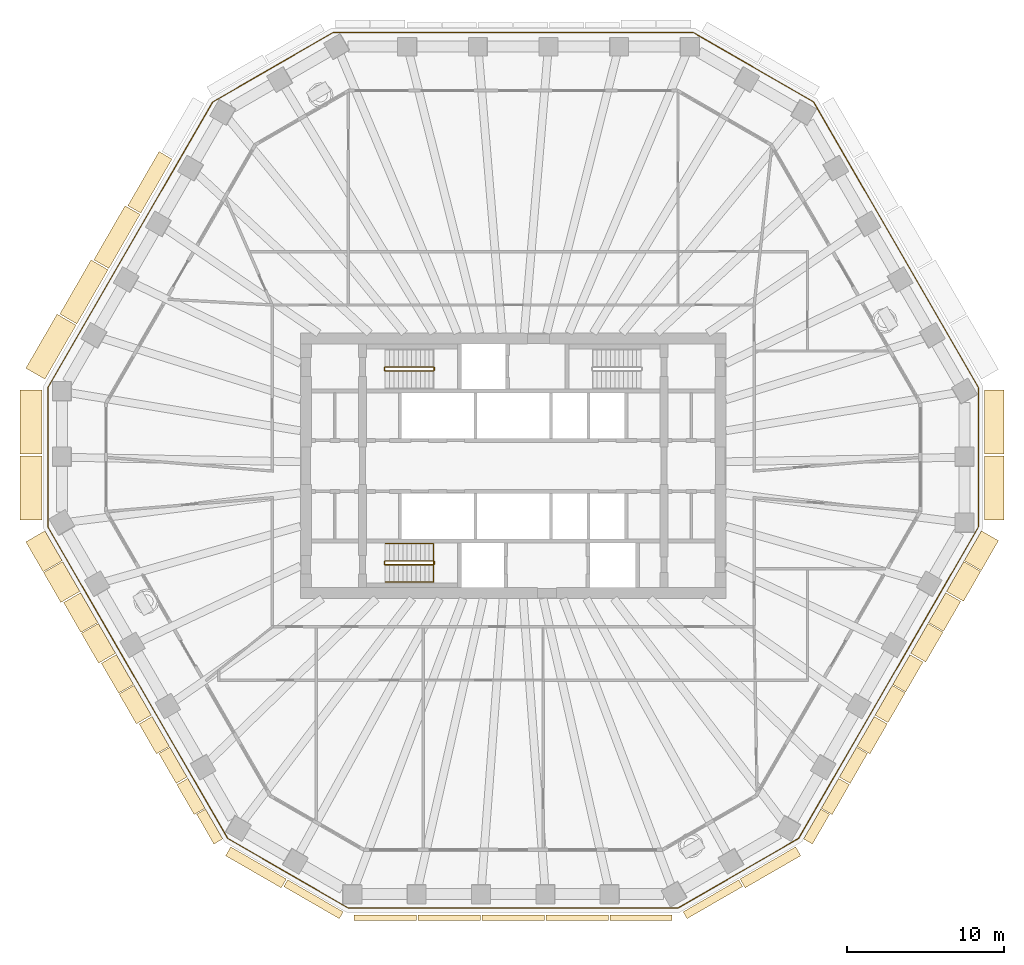
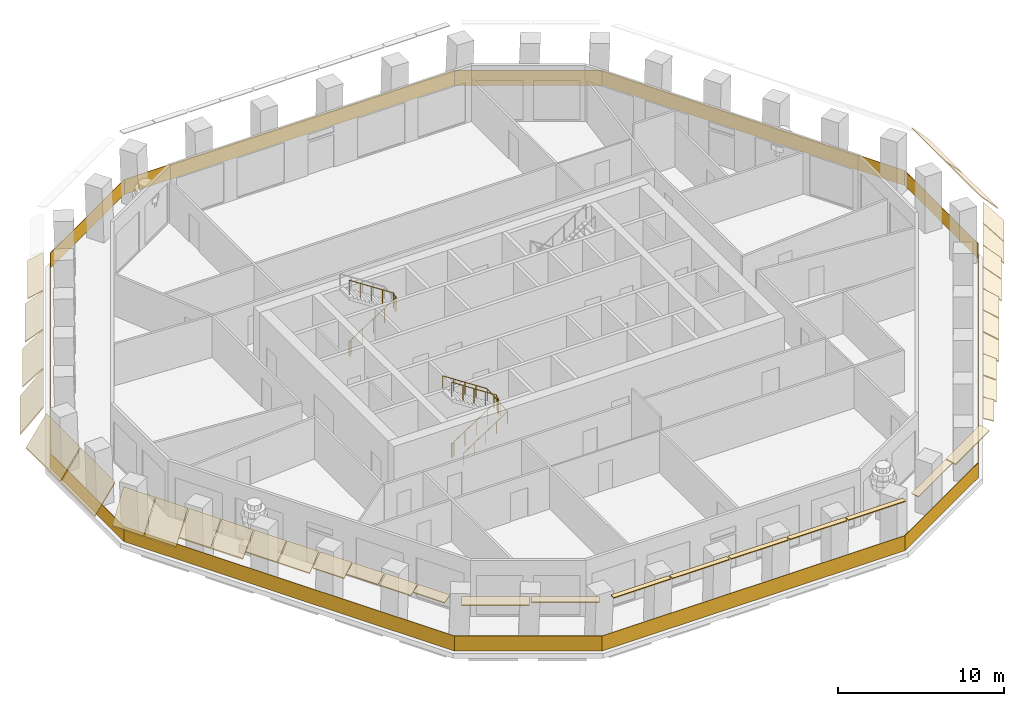
# One storey, part 9 of 12: 37 coverings, 4 railings.
"""IFC4 building model written with IfcOpenShell, lengths in metres."""

from ifc_helpers import new_model, si_unit, direction, frame, origin, origin_2d, place, context, subcontext, project, spatial, polyline, rectangle, circle, outline, extrude, material, layer, layer_set, type_object, element, save


model = new_model("IFC4")

# Units and contexts
model_context = context("Model", 3, precision=1e-05, world=origin(), true_north=direction((0.0, 1.0)))
body_context = subcontext(model_context, "Body", "Model", "MODEL_VIEW")
ifc_project = project(units=[si_unit("LENGTHUNIT", "METRE"), si_unit("AREAUNIT", "SQUARE_METRE"), si_unit("VOLUMEUNIT", "CUBIC_METRE"), si_unit("PLANEANGLEUNIT", "RADIAN"), si_unit("MASSUNIT", "GRAM", prefix="KILO")], contexts=[model_context])

# Site, building, storey
site_placement = place(None, origin())
site = spatial("IfcSite", under=ifc_project, at=site_placement, CompositionType="ELEMENT")
building_placement = place(site_placement, origin())
building = spatial("IfcBuilding", under=site, at=building_placement, Name="Frailejon Research Tower", CompositionType="ELEMENT")
storey_placement = place(building_placement, frame((0.0, 0.0, 162.800048828125)))
storey = spatial("IfcBuildingStorey", under=building, at=storey_placement, Name="L35", CompositionType="ELEMENT", Elevation=162.800048828125)

# Coverings
ifc_material_1 = material(Name="Precast concrete C50/60", Category="concrete")
ifc_layer_1 = layer(ifc_material_1, 0.06005859375)
ifc_layer_set_1 = layer_set([ifc_layer_1], Name="Brim blade depth 1100")
covering_type_1 = type_object("IfcCoveringType", Name="Brim blade depth 1100", PredefinedType="CLADDING", material=ifc_layer_set_1)
covering_1_placement = place(storey_placement, frame((-25.75390625, 12.57568359375, 4.25), z_axis=(0.499992413042, 0.866029784072, 0.0), x_axis=(-0.866029784072, 0.499992413042, 0.0)))
element("IfcCovering", 1, at=covering_1_placement, inside=storey, type_object=covering_type_1, Name="Brim blade L35", PredefinedType="CLADDING", context=body_context, shape_type="SweptSolid", body=[
    extrude(outline(polyline([(0.0, -0.078369140625), (1.10009765625, -1.001220703125), (1.10009765625, -0.923095703125), (0.0, 0.0), (0.0, -0.078369140625)])), origin(), (0.0, 0.0, 1.0), 3.972412109375),
])
for number, where, z_axis, x_axis, name in (
    (2, (-24.177001953125, -13.924072265625, 4.25), (-0.49998618725, 0.866033378433, 0.0), (-0.866033378433, -0.49998618725, 0.0), "Brim blade L35"),
    (3, (-23.04931640625, -15.87744140625, 4.25), (-0.49998618725, 0.866033378433, 0.0), (-0.866033378433, -0.49998618725, 0.0), "Brim blade L35"),
):
    element("IfcCovering", number, at=place(storey_placement, frame(where, z_axis=z_axis, x_axis=x_axis)), inside=storey, type_object=covering_type_1, Name=name, PredefinedType="CLADDING", context=body_context, shape_type="SweptSolid", body=[
        extrude(outline(polyline([(0.0, -0.078369140625), (1.10009765625, -1.001220703125), (1.10009765625, -0.923095703125), (0.0, 0.0), (0.0, -0.078369140625)])), origin(), (0.0, 0.0, 1.0), 2.19580078125),
    ])
for number, where, z_axis, x_axis, name in (
    (4, (26.422607421875, -10.034423828125, 4.25), (-0.499995700913, -0.866027885849, 0.0), (0.866027885849, -0.499995700913, 0.0), "Brim blade L35"),
    (5, (27.550537109375, -8.0810546875, 4.25), (-0.499995700913, -0.866027885849, 0.0), (0.866027885849, -0.499995700913, 0.0), "Brim blade L35"),
):
    element("IfcCovering", number, at=place(storey_placement, frame(where, z_axis=z_axis, x_axis=x_axis)), inside=storey, type_object=covering_type_1, Name=name, PredefinedType="CLADDING", context=body_context, shape_type="SweptSolid", body=[
        extrude(outline(polyline([(0.0, -0.078369140625), (1.10009765625, -1.001220703125), (1.10009765625, -0.923095703125), (0.0, 0.0), (0.0, -0.078369140625)])), origin(), (0.0, 0.0, 1.0), 2.195556640625),
    ])
ifc_material_2 = material(Name="Precast concrete C50/60", Category="concrete")
ifc_layer_2 = layer(ifc_material_2, 0.06005859375)
ifc_layer_set_2 = layer_set([ifc_layer_2], Name="Brim blade depth 1250")
covering_type_2 = type_object("IfcCoveringType", Name="Brim blade depth 1250", PredefinedType="CLADDING", material=ifc_layer_set_2)
covering_2_placement = place(storey_placement, frame((30.011962890625, 0.641357421875, 4.25), z_axis=(0.0, -1.0, 0.0), x_axis=(1.0, 0.0, 0.0)))
element("IfcCovering", 6, at=covering_2_placement, inside=storey, type_object=covering_type_2, Name="Brim blade L35", PredefinedType="CLADDING", context=body_context, shape_type="SweptSolid", body=[
    extrude(outline(polyline([(0.0, -0.0888671875), (1.25, -1.452880859375), (1.25, -1.364013671875), (0.0, 0.0), (0.0, -0.0888671875)])), origin(), (0.0, 0.0, 1.0), 4.087646484375),
])
covering_3_placement = place(storey_placement, frame((30.011962890625, 4.828857421875, 4.25), z_axis=(0.0, -1.0, 0.0), x_axis=(1.0, 0.0, 0.0)))
element("IfcCovering", 7, at=covering_3_placement, inside=storey, type_object=covering_type_2, Name="Brim blade L35", PredefinedType="CLADDING", context=body_context, shape_type="SweptSolid", body=[
    extrude(outline(polyline([(0.0, -0.0888671875), (1.25, -1.452880859375), (1.25, -1.364013671875), (0.0, 0.0), (0.0, -0.0888671875)])), origin(), (0.0, 0.0, 1.0), 4.08740234375),
])
covering_4_placement = place(storey_placement, frame((-27.7900390625, 9.048828125, 4.25), z_axis=(0.499992413042, 0.866029784072, 0.0), x_axis=(-0.866029784072, 0.499992413042, 0.0)))
element("IfcCovering", 8, at=covering_4_placement, inside=storey, type_object=covering_type_2, Name="Brim blade L35", PredefinedType="CLADDING", context=body_context, shape_type="SweptSolid", body=[
    extrude(outline(polyline([(0.0, -0.0888671875), (1.25, -1.452880859375), (1.25, -1.364013671875), (0.0, 0.0), (0.0, -0.0888671875)])), origin(), (0.0, 0.0, 1.0), 3.972412109375),
])
for number, where, z_axis, x_axis, name in (
    (9, (-26.45263671875, -9.982421875, 4.25), (-0.499995700913, 0.866027885849, 0.0), (-0.866027885849, -0.499995700913, 0.0), "Brim blade L35"),
    (10, (-25.324951171875, -11.935791015625, 4.25), (-0.499995700913, 0.866027885849, 0.0), (-0.866027885849, -0.499995700913, 0.0), "Brim blade L35"),
    (11, (28.698486328125, -6.093017578125, 4.25), (-0.500012180236, -0.866018371408, 0.0), (0.866018371408, -0.500012180236, 0.0), "Brim blade L35"),
    (12, (29.826171875, -4.139404296875, 4.25), (-0.500012180236, -0.866018371408, 0.0), (0.866018371408, -0.500012180236, 0.0), "Brim blade L35"),
):
    element("IfcCovering", number, at=place(storey_placement, frame(where, z_axis=z_axis, x_axis=x_axis)), inside=storey, type_object=covering_type_2, Name=name, PredefinedType="CLADDING", context=body_context, shape_type="SweptSolid", body=[
        extrude(outline(polyline([(0.0, -0.0888671875), (1.25, -1.452880859375), (1.25, -1.364013671875), (0.0, 0.0), (0.0, -0.0888671875)])), origin(), (0.0, 0.0, 1.0), 2.195556640625),
    ])
ifc_material_3 = material(Name="Precast concrete C50/60", Category="concrete")
ifc_layer_3 = layer(ifc_material_3, 0.06005859375)
ifc_layer_set_3 = layer_set([ifc_layer_3], Name="Brim blade depth 1400")
covering_type_3 = type_object("IfcCoveringType", Name="Brim blade depth 1400", PredefinedType="CLADDING", material=ifc_layer_set_3)
covering_5_placement = place(storey_placement, frame((-29.826171875, 5.522216796875, 4.25), z_axis=(0.500010829996, 0.866019150993, 0.0), x_axis=(-0.866019150993, 0.500010829996, 0.0)))
element("IfcCovering", 13, at=covering_5_placement, inside=storey, type_object=covering_type_3, Name="Brim blade L35", PredefinedType="CLADDING", context=body_context, shape_type="SweptSolid", body=[
    extrude(outline(polyline([(0.0, -0.1044921875), (1.39990234375, -2.10400390625), (1.39990234375, -1.99951171875), (0.0, 0.0), (0.0, -0.1044921875)])), origin(), (0.0, 0.0, 1.0), 3.972412109375),
])
covering_6_placement = place(storey_placement, frame((-30.011962890625, 0.741455078125, 4.25), z_axis=(0.0, 1.0, 0.0), x_axis=(-1.0, 0.0, 0.0)))
element("IfcCovering", 14, at=covering_6_placement, inside=storey, type_object=covering_type_3, Name="Brim blade L35", PredefinedType="CLADDING", context=body_context, shape_type="SweptSolid", body=[
    extrude(outline(polyline([(0.0, -0.1044921875), (1.39990234375, -2.10400390625), (1.39990234375, -1.99951171875), (0.0, 0.0), (0.0, -0.1044921875)])), origin(), (0.0, 0.0, 1.0), 4.08740234375),
])
covering_7_placement = place(storey_placement, frame((-30.011962890625, -3.4462890625, 4.25), z_axis=(0.0, 1.0, 0.0), x_axis=(-1.0, 0.0, 0.0)))
element("IfcCovering", 15, at=covering_7_placement, inside=storey, type_object=covering_type_3, Name="Brim blade L35", PredefinedType="CLADDING", context=body_context, shape_type="SweptSolid", body=[
    extrude(outline(polyline([(0.0, -0.1044921875), (1.39990234375, -2.10400390625), (1.39990234375, -1.99951171875), (0.0, 0.0), (0.0, -0.1044921875)])), origin(), (0.0, 0.0, 1.0), 4.087646484375),
])
for number, where, z_axis, x_axis, name in (
    (16, (-28.728515625, -6.041015625, 4.25), (-0.500012180236, 0.866018371408, 0.0), (-0.866018371408, -0.500012180236, 0.0), "Brim blade L35"),
    (17, (-27.6005859375, -7.994384765625, 4.25), (-0.500012180236, 0.866018371408, 0.0), (-0.866018371408, -0.500012180236, 0.0), "Brim blade L35"),
):
    element("IfcCovering", number, at=place(storey_placement, frame(where, z_axis=z_axis, x_axis=x_axis)), inside=storey, type_object=covering_type_3, Name=name, PredefinedType="CLADDING", context=body_context, shape_type="SweptSolid", body=[
        extrude(outline(polyline([(0.0, -0.1044921875), (1.39990234375, -2.10400390625), (1.39990234375, -1.99951171875), (0.0, 0.0), (0.0, -0.1044921875)])), origin(), (0.0, 0.0, 1.0), 2.195556640625),
    ])
ifc_material_4 = material(Name="Precast concrete C50/60", Category="concrete")
ifc_layer_4 = layer(ifc_material_4, 0.06005859375)
ifc_layer_set_4 = layer_set([ifc_layer_4], Name="Brim blade depth 350")
covering_type_4 = type_object("IfcCoveringType", Name="Brim blade depth 350", PredefinedType="CLADDING", material=ifc_layer_set_4)
for number, where, z_axis, x_axis, name in (
    (18, (-6.158447265625, -28.59130859375, 4.25), (-1.0, 0.0, 0.0), (0.0, -1.0, 0.0), "Brim blade L35"),
    (19, (-2.086181640625, -28.59130859375, 4.25), (-1.0, 0.0, 0.0), (0.0, -1.0, 0.0), "Brim blade L35"),
):
    element("IfcCovering", number, at=place(storey_placement, frame(where, z_axis=z_axis, x_axis=x_axis)), inside=storey, type_object=covering_type_4, Name=name, PredefinedType="CLADDING", context=body_context, shape_type="SweptSolid", body=[
        extrude(outline(polyline([(0.0, -0.06005859375), (0.35009765625, -0.06005859375), (0.35009765625, 0.0), (0.0, 0.0), (0.0, -0.06005859375)])), origin(), (0.0, 0.0, 1.0), 3.972412109375),
    ])
covering_8_placement = place(storey_placement, frame((1.986083984375, -28.59130859375, 4.25), z_axis=(-1.0, 0.0, 0.0), x_axis=(0.0, -1.0, 0.0)))
element("IfcCovering", 20, at=covering_8_placement, inside=storey, type_object=covering_type_4, Name="Brim blade L35", PredefinedType="CLADDING", context=body_context, shape_type="SweptSolid", body=[
    extrude(outline(polyline([(0.0, -0.06005859375), (0.35009765625, -0.06005859375), (0.35009765625, 0.0), (0.0, 0.0), (0.0, -0.06005859375)])), origin(), (0.0, 0.0, 1.0), 3.97216796875),
])
for number, where, z_axis, x_axis, name in (
    (21, (6.058349609375, -28.59130859375, 4.25), (-1.0, 0.0, 0.0), (0.0, -1.0, 0.0), "Brim blade L35"),
    (22, (10.130615234375, -28.59130859375, 4.25), (-1.0, 0.0, 0.0), (0.0, -1.0, 0.0), "Brim blade L35"),
):
    element("IfcCovering", number, at=place(storey_placement, frame(where, z_axis=z_axis, x_axis=x_axis)), inside=storey, type_object=covering_type_4, Name=name, PredefinedType="CLADDING", context=body_context, shape_type="SweptSolid", body=[
        extrude(outline(polyline([(0.0, -0.06005859375), (0.35009765625, -0.06005859375), (0.35009765625, 0.0), (0.0, 0.0), (0.0, -0.06005859375)])), origin(), (0.0, 0.0, 1.0), 3.972412109375),
    ])
ifc_material_5 = material(Name="Precast concrete C50/60", Category="concrete")
ifc_layer_5 = layer(ifc_material_5, 0.06005859375)
ifc_layer_set_5 = layer_set([ifc_layer_5], Name="Brim blade depth 500")
covering_type_5 = type_object("IfcCoveringType", Name="Brim blade depth 500", PredefinedType="CLADDING", material=ifc_layer_set_5)
for number, where, z_axis, x_axis, name in (
    (23, (-10.823974609375, -28.405517578125, 4.25), (-0.866021344981, 0.500007029989, 0.0), (-0.500007029989, -0.866021344981, 0.0), "Brim blade L35"),
    (24, (14.364013671875, -26.36181640625, 4.25), (-0.866021344981, -0.500007029989, 0.0), (0.500007029989, -0.866021344981, 0.0), "Brim blade L35"),
):
    element("IfcCovering", number, at=place(storey_placement, frame(where, z_axis=z_axis, x_axis=x_axis)), inside=storey, type_object=covering_type_5, Name=name, PredefinedType="CLADDING", context=body_context, shape_type="SweptSolid", body=[
        extrude(outline(polyline([(0.0, -0.060546875), (0.5, -0.130859375), (0.5, -0.0703125), (0.0, 0.0), (0.0, -0.060546875)])), origin(), (0.0, 0.0, 1.0), 4.08740234375),
    ])
ifc_material_6 = material(Name="Precast concrete C50/60", Category="concrete")
ifc_layer_6 = layer(ifc_material_6, 0.06005859375)
ifc_layer_set_6 = layer_set([ifc_layer_6], Name="Brim blade depth 650")
covering_type_6 = type_object("IfcCoveringType", Name="Brim blade depth 650", PredefinedType="CLADDING", material=ifc_layer_set_6)
covering_9_placement = place(storey_placement, frame((-18.498046875, -23.760498046875, 4.25), z_axis=(-0.499995700913, 0.866027885849, 0.0), x_axis=(-0.866027885849, -0.499995700913, 0.0)))
element("IfcCovering", 25, at=covering_9_placement, inside=storey, type_object=covering_type_6, Name="Brim blade L35", PredefinedType="CLADDING", context=body_context, shape_type="SweptSolid", body=[
    extrude(outline(polyline([(0.0, -0.0625), (0.64990234375, -0.248779296875), (0.64990234375, -0.186279296875), (0.0, 0.0), (0.0, -0.0625)])), origin(), (0.0, 0.0, 1.0), 2.195556640625),
])
for number, where, z_axis, x_axis, name in (
    (26, (-14.450439453125, -26.311767578125, 4.25), (-0.866027315287, 0.499996689166, 0.0), (-0.499996689166, -0.866027315287, 0.0), "Brim blade L35"),
    (27, (17.990478515625, -24.26806640625, 4.25), (-0.866027315287, -0.499996689166, 0.0), (0.499996689166, -0.866027315287, 0.0), "Brim blade L35"),
):
    element("IfcCovering", number, at=place(storey_placement, frame(where, z_axis=z_axis, x_axis=x_axis)), inside=storey, type_object=covering_type_6, Name=name, PredefinedType="CLADDING", context=body_context, shape_type="SweptSolid", body=[
        extrude(outline(polyline([(0.0, -0.0625), (0.64990234375, -0.248779296875), (0.64990234375, -0.186279296875), (0.0, 0.0), (0.0, -0.0625)])), origin(), (0.0, 0.0, 1.0), 4.087646484375),
    ])
covering_10_placement = place(storey_placement, frame((19.595703125, -21.85888671875, 4.25), z_axis=(-0.499995700913, -0.866027885849, 0.0), x_axis=(0.866027885849, -0.499995700913, 0.0)))
element("IfcCovering", 28, at=covering_10_placement, inside=storey, type_object=covering_type_6, Name="Brim blade L35", PredefinedType="CLADDING", context=body_context, shape_type="SweptSolid", body=[
    extrude(outline(polyline([(0.0, -0.0625), (0.64990234375, -0.248779296875), (0.64990234375, -0.186279296875), (0.0, 0.0), (0.0, -0.0625)])), origin(), (0.0, 0.0, 1.0), 2.195556640625),
])
ifc_material_7 = material(Name="Precast concrete C50/60", Category="concrete")
ifc_layer_7 = layer(ifc_material_7, 0.06005859375)
ifc_layer_set_7 = layer_set([ifc_layer_7], Name="Brim blade depth 800")
covering_type_7 = type_object("IfcCoveringType", Name="Brim blade depth 800", PredefinedType="CLADDING", material=ifc_layer_set_7)
for number, where, z_axis, x_axis, name in (
    (29, (-20.773681640625, -19.819091796875, 4.25), (-0.500012180236, 0.866018371408, 0.0), (-0.866018371408, -0.500012180236, 0.0), "Brim blade L35"),
    (30, (-19.625732421875, -21.80712890625, 4.25), (-0.499995700913, 0.866027885849, 0.0), (-0.866027885849, -0.499995700913, 0.0), "Brim blade L35"),
    (31, (20.7236328125, -19.905517578125, 4.25), (-0.499995700913, -0.866027885849, 0.0), (0.866027885849, -0.499995700913, 0.0), "Brim blade L35"),
    (32, (21.87158203125, -17.91748046875, 4.25), (-0.500012180236, -0.866018371408, 0.0), (0.866018371408, -0.500012180236, 0.0), "Brim blade L35"),
):
    element("IfcCovering", number, at=place(storey_placement, frame(where, z_axis=z_axis, x_axis=x_axis)), inside=storey, type_object=covering_type_7, Name=name, PredefinedType="CLADDING", context=body_context, shape_type="SweptSolid", body=[
        extrude(outline(polyline([(0.0, -0.065673828125), (0.800048828125, -0.421875), (0.800048828125, -0.356201171875), (0.0, 0.0), (0.0, -0.065673828125)])), origin(), (0.0, 0.0, 1.0), 2.195556640625),
    ])
ifc_material_8 = material(Name="Precast concrete C50/60", Category="concrete")
ifc_layer_8 = layer(ifc_material_8, 0.06005859375)
ifc_layer_set_8 = layer_set([ifc_layer_8], Name="Brim blade depth 950")
covering_type_8 = type_object("IfcCoveringType", Name="Brim blade depth 950", PredefinedType="CLADDING", material=ifc_layer_set_8)
covering_11_placement = place(storey_placement, frame((-23.7177734375, 16.102294921875, 4.25), z_axis=(0.500010829996, 0.866019150993, 0.0), x_axis=(-0.866019150993, 0.500010829996, 0.0)))
element("IfcCovering", 33, at=covering_11_placement, inside=storey, type_object=covering_type_8, Name="Brim blade L35", PredefinedType="CLADDING", context=body_context, shape_type="SweptSolid", body=[
    extrude(outline(polyline([(0.0, -0.07080078125), (0.949951171875, -0.664306640625), (0.949951171875, -0.593505859375), (0.0, 0.0), (0.0, -0.07080078125)])), origin(), (0.0, 0.0, 1.0), 3.972412109375),
])
for number, where, z_axis, x_axis, name in (
    (34, (-21.901611328125, -17.865478515625, 4.25), (-0.500012180236, 0.866018371408, 0.0), (-0.866018371408, -0.500012180236, 0.0), "Brim blade L35"),
    (35, (22.999267578125, -15.964111328125, 4.25), (-0.500012180236, -0.866018371408, 0.0), (0.866018371408, -0.500012180236, 0.0), "Brim blade L35"),
):
    element("IfcCovering", number, at=place(storey_placement, frame(where, z_axis=z_axis, x_axis=x_axis)), inside=storey, type_object=covering_type_8, Name=name, PredefinedType="CLADDING", context=body_context, shape_type="SweptSolid", body=[
        extrude(outline(polyline([(0.0, -0.07080078125), (0.949951171875, -0.664306640625), (0.949951171875, -0.593505859375), (0.0, 0.0), (0.0, -0.07080078125)])), origin(), (0.0, 0.0, 1.0), 2.195556640625),
    ])
for number, where, z_axis, x_axis, name in (
    (36, (24.147216796875, -13.97607421875, 4.25), (-0.49998618725, -0.866033378433, 0.0), (0.866033378433, -0.49998618725, 0.0), "Brim blade L35"),
    (37, (25.27490234375, -12.0224609375, 4.25), (-0.49998618725, -0.866033378433, 0.0), (0.866033378433, -0.49998618725, 0.0), "Brim blade L35"),
):
    element("IfcCovering", number, at=place(storey_placement, frame(where, z_axis=z_axis, x_axis=x_axis)), inside=storey, type_object=covering_type_8, Name=name, PredefinedType="CLADDING", context=body_context, shape_type="SweptSolid", body=[
        extrude(outline(polyline([(0.0, -0.07080078125), (0.949951171875, -0.664306640625), (0.949951171875, -0.593505859375), (0.0, 0.0), (0.0, -0.07080078125)])), origin(), (0.0, 0.0, 1.0), 2.19580078125),
    ])

# Railings
ifc_material_9 = material(Name="Laminated glass balustrade", Category="glass")
railing_type_1 = type_object("IfcRailingType", Name="Glass guard 1100", PredefinedType="GUARDRAIL", material=ifc_material_9)
railing_1_placement = place(storey_placement, frame((29.640869140625, -3.8779296875, 0.0)))
element("IfcRailing", 38, at=railing_1_placement, inside=storey, type_object=railing_type_1, Name="Loggia guard L35", PredefinedType="GUARDRAIL", context=body_context, shape_type="SweptSolid", body=[
    extrude(rectangle(XDim=8.862060546875, YDim=0.030029296875, at=origin_2d()), frame((0.0, 4.43115234375, 0.0), z_axis=(0.0, 0.0, 1.0), x_axis=(0.0, 1.0, 0.0)), (0.0, 0.0, 1.0), 1.10009765625),
    extrude(rectangle(XDim=21.008056640625, YDim=0.030029296875, at=origin_2d()), frame((-5.251953125, 17.958740234375, 0.0), z_axis=(0.0, 0.0, 1.0), x_axis=(-0.50000747778, 0.866021086443, 0.0)), (0.0, 0.0, 1.0), 1.10009765625),
    extrude(rectangle(XDim=8.862060546875, YDim=0.030029296875, at=origin_2d()), frame((-14.341552734375, 29.27099609375, 0.0), z_axis=(0.0, 0.0, 1.0), x_axis=(-0.86602043012, 0.50000861454, 0.0)), (0.0, 0.0, 1.0), 1.10009765625),
    extrude(rectangle(XDim=22.923828125, YDim=0.030029296875, at=origin_2d()), frame((-29.640869140625, 31.486572265625, 0.0), z_axis=(0.0, 0.0, 1.0), x_axis=(-1.0, 0.0, 0.0)), (0.0, 0.0, 1.0), 1.10009765625),
    extrude(rectangle(XDim=8.862060546875, YDim=0.030029296875, at=origin_2d()), frame((-44.940185546875, 29.27099609375, 0.0), z_axis=(0.0, 0.0, 1.0), x_axis=(-0.86602043012, -0.50000861454, 0.0)), (0.0, 0.0, 1.0), 1.10009765625),
    extrude(rectangle(XDim=21.008056640625, YDim=0.030029296875, at=origin_2d()), frame((-54.02978515625, 17.958740234375, 0.0), z_axis=(0.0, 0.0, 1.0), x_axis=(-0.50000747778, -0.866021086443, 0.0)), (0.0, 0.0, 1.0), 1.10009765625),
    extrude(rectangle(XDim=8.862060546875, YDim=0.030029296875, at=origin_2d()), frame((-59.28173828125, 4.43115234375, 0.0), z_axis=(0.0, 0.0, 1.0), x_axis=(0.0, -1.0, 0.0)), (0.0, 0.0, 1.0), 1.10009765625),
    extrude(rectangle(XDim=22.924072265625, YDim=0.030029296875, at=origin_2d()), frame((-53.55078125, -9.92626953125, 0.0), z_axis=(0.0, 0.0, 1.0), x_axis=(0.500004857653, -0.866022599199, 0.0)), (0.0, 0.0, 1.0), 1.10009765625),
    extrude(rectangle(XDim=8.862060546875, YDim=0.030029296875, at=origin_2d()), frame((-43.982177734375, -22.068359375, 0.0), z_axis=(0.0, 0.0, 1.0), x_axis=(0.866032359105, -0.499987952838, 0.0)), (0.0, 0.0, 1.0), 1.10009765625),
    extrude(rectangle(XDim=21.0078125, YDim=0.030029296875, at=origin_2d()), frame((-29.640869140625, -24.28369140625, 0.0), z_axis=(0.0, 0.0, 1.0), x_axis=(1.0, 0.0, 0.0)), (0.0, 0.0, 1.0), 1.10009765625),
    extrude(rectangle(XDim=8.862060546875, YDim=0.030029296875, at=origin_2d()), frame((-15.299560546875, -22.068359375, 0.0), z_axis=(0.0, 0.0, 1.0), x_axis=(0.866032359105, 0.499987952838, 0.0)), (0.0, 0.0, 1.0), 1.10009765625),
    extrude(rectangle(XDim=22.853759765625, YDim=0.030029296875, at=origin_2d()), frame((-5.74853515625, -9.956787109375, 0.0), z_axis=(0.0, 0.0, 1.0), x_axis=(0.500002951441, 0.866023699763, 0.0)), (0.0, 0.0, 1.0), 1.10009765625),
])
ifc_material_10 = material(Name="Stainless steel", Category="steel")
railing_type_2 = type_object("IfcRailingType", Name="Stair guard 1100", PredefinedType="GUARDRAIL", material=ifc_material_10)
railing_2_placement = place(storey_placement, frame((-8.199951171875, 6.25, 0.0)))
element("IfcRailing", 39, at=railing_2_placement, inside=storey, type_object=railing_type_2, Name="L35 ST1 stair guard 1", PredefinedType="GUARDRAIL", context=body_context, shape_type="SweptSolid", body=[
    extrude(circle(Radius=0.02392578125, at=origin_2d()), frame((0.0, 0.0, 1.076171875), z_axis=(0.0, -1.0, 0.0), x_axis=(1.0, 0.0, 0.0)), (0.0, 0.0, 1.0), 0.14990234375),
    extrude(circle(Radius=0.02392578125, at=origin_2d()), frame((0.0, -0.14990234375, 1.076171875), z_axis=(0.254653276557, -0.254653276557, 0.932900539971), x_axis=(0.707106781187, 0.707106781187, 0.0)), (0.0, 0.0, 1.0), 0.196533203125),
    extrude(circle(Radius=0.02392578125, at=origin_2d()), frame((0.050048828125, -0.199951171875, 1.25927734375), z_axis=(0.836613101238, 0.0, 0.547794230379), x_axis=(0.0, 1.0, 0.0)), (0.0, 0.0, 1.0), 3.681396484375),
    extrude(circle(Radius=0.02392578125, at=origin_2d()), frame((3.1298828125, -0.199951171875, 3.27587890625), z_axis=(0.707106781187, 0.707106781187, 0.0), x_axis=(-0.707106781187, 0.707106781187, 0.0)), (0.0, 0.0, 1.0), 0.07080078125),
    extrude(circle(Radius=0.02392578125, at=origin_2d()), frame((3.179931640625, -0.14990234375, 3.27587890625), z_axis=(0.0, 1.0, 0.0), x_axis=(-1.0, 0.0, 0.0)), (0.0, 0.0, 1.0), 0.14990234375),
    extrude(circle(Radius=0.02392578125, at=origin_2d()), frame((3.179931640625, 0.0, 3.27587890625), z_axis=(-0.254653276557, 0.254653276557, 0.932900539971), x_axis=(-0.707106781187, -0.707106781187, 0.0)), (0.0, 0.0, 1.0), 0.196533203125),
    extrude(circle(Radius=0.02392578125, at=origin_2d()), frame((3.1298828125, 0.050048828125, 3.45947265625), z_axis=(-0.836613101238, 0.0, 0.547794230379), x_axis=(0.0, -1.0, 0.0)), (0.0, 0.0, 1.0), 3.681396484375),
    extrude(circle(Radius=0.02099609375, at=origin_2d()), origin(), (0.0, 0.0, 1.0), 1.052001953125),
    extrude(circle(Radius=0.02099609375, at=origin_2d()), frame((0.0, -0.14990234375, 0.0)), (0.0, 0.0, 1.0), 1.052001953125),
    extrude(circle(Radius=0.02099609375, at=origin_2d()), frame((0.050048828125, -0.199951171875, 0.183349609375)), (0.0, 0.0, 1.0), 1.052001953125),
    extrude(circle(Radius=0.02099609375, at=origin_2d()), frame((0.820068359375, -0.199951171875, 0.6875)), (0.0, 0.0, 1.0), 1.052001953125),
    extrude(circle(Radius=0.02099609375, at=origin_2d()), frame((1.58984375, -0.199951171875, 1.191650390625)), (0.0, 0.0, 1.0), 1.052001953125),
    extrude(circle(Radius=0.02099609375, at=origin_2d()), frame((2.35986328125, -0.199951171875, 1.69580078125)), (0.0, 0.0, 1.0), 1.052001953125),
    extrude(circle(Radius=0.02099609375, at=origin_2d()), frame((3.1298828125, -0.199951171875, 2.199951171875)), (0.0, 0.0, 1.0), 1.052001953125),
    extrude(circle(Radius=0.02099609375, at=origin_2d()), frame((3.179931640625, -0.14990234375, 2.199951171875)), (0.0, 0.0, 1.0), 1.052001953125),
    extrude(circle(Radius=0.02099609375, at=origin_2d()), frame((3.179931640625, 0.0, 2.199951171875)), (0.0, 0.0, 1.0), 1.052001953125),
    extrude(circle(Radius=0.02099609375, at=origin_2d()), frame((3.1298828125, 0.050048828125, 2.38330078125)), (0.0, 0.0, 1.0), 1.052001953125),
    extrude(circle(Radius=0.02099609375, at=origin_2d()), frame((2.35986328125, 0.050048828125, 2.887451171875)), (0.0, 0.0, 1.0), 1.052001953125),
    extrude(circle(Radius=0.02099609375, at=origin_2d()), frame((1.58984375, 0.050048828125, 3.3916015625)), (0.0, 0.0, 1.0), 1.052001953125),
    extrude(circle(Radius=0.02099609375, at=origin_2d()), frame((0.820068359375, 0.050048828125, 3.895751953125)), (0.0, 0.0, 1.0), 1.052001953125),
    extrude(circle(Radius=0.02099609375, at=origin_2d()), frame((0.050048828125, 0.050048828125, 4.39990234375)), (0.0, 0.0, 1.0), 1.052001953125),
])
railing_3_placement = place(storey_placement, frame((-8.199951171875, -6.10009765625, 0.0)))
element("IfcRailing", 40, at=railing_3_placement, inside=storey, type_object=railing_type_2, Name="L35 ST2 stair guard 1", PredefinedType="GUARDRAIL", context=body_context, shape_type="SweptSolid", body=[
    extrude(circle(Radius=0.02392578125, at=origin_2d()), frame((0.0, 0.0, 1.076171875), z_axis=(0.0, -1.0, 0.0), x_axis=(1.0, 0.0, 0.0)), (0.0, 0.0, 1.0), 0.14990234375),
    extrude(circle(Radius=0.02392578125, at=origin_2d()), frame((0.0, -0.14990234375, 1.076171875), z_axis=(0.254653276557, -0.254653276557, 0.932900539971), x_axis=(0.707106781187, 0.707106781187, 0.0)), (0.0, 0.0, 1.0), 0.196533203125),
    extrude(circle(Radius=0.02392578125, at=origin_2d()), frame((0.050048828125, -0.199951171875, 1.25927734375), z_axis=(0.836613101238, 0.0, 0.547794230379), x_axis=(0.0, 1.0, 0.0)), (0.0, 0.0, 1.0), 3.681396484375),
    extrude(circle(Radius=0.02392578125, at=origin_2d()), frame((3.1298828125, -0.199951171875, 3.27587890625), z_axis=(0.707106781187, 0.707106781187, 0.0), x_axis=(-0.707106781187, 0.707106781187, 0.0)), (0.0, 0.0, 1.0), 0.07080078125),
    extrude(circle(Radius=0.02392578125, at=origin_2d()), frame((3.179931640625, -0.14990234375, 3.27587890625), z_axis=(0.0, 1.0, 0.0), x_axis=(-1.0, 0.0, 0.0)), (0.0, 0.0, 1.0), 0.14990234375),
    extrude(circle(Radius=0.02392578125, at=origin_2d()), frame((3.179931640625, 0.0, 3.27587890625), z_axis=(-0.254653276557, 0.254653276557, 0.932900539971), x_axis=(-0.707106781187, -0.707106781187, 0.0)), (0.0, 0.0, 1.0), 0.196533203125),
    extrude(circle(Radius=0.02392578125, at=origin_2d()), frame((3.1298828125, 0.050048828125, 3.45947265625), z_axis=(-0.836613101238, 0.0, 0.547794230379), x_axis=(0.0, -1.0, 0.0)), (0.0, 0.0, 1.0), 3.681396484375),
    extrude(circle(Radius=0.02099609375, at=origin_2d()), origin(), (0.0, 0.0, 1.0), 1.052001953125),
    extrude(circle(Radius=0.02099609375, at=origin_2d()), frame((0.0, -0.14990234375, 0.0)), (0.0, 0.0, 1.0), 1.052001953125),
    extrude(circle(Radius=0.02099609375, at=origin_2d()), frame((0.050048828125, -0.199951171875, 0.183349609375)), (0.0, 0.0, 1.0), 1.052001953125),
    extrude(circle(Radius=0.02099609375, at=origin_2d()), frame((0.820068359375, -0.199951171875, 0.6875)), (0.0, 0.0, 1.0), 1.052001953125),
    extrude(circle(Radius=0.02099609375, at=origin_2d()), frame((1.58984375, -0.199951171875, 1.191650390625)), (0.0, 0.0, 1.0), 1.052001953125),
    extrude(circle(Radius=0.02099609375, at=origin_2d()), frame((2.35986328125, -0.199951171875, 1.69580078125)), (0.0, 0.0, 1.0), 1.052001953125),
    extrude(circle(Radius=0.02099609375, at=origin_2d()), frame((3.1298828125, -0.199951171875, 2.199951171875)), (0.0, 0.0, 1.0), 1.052001953125),
    extrude(circle(Radius=0.02099609375, at=origin_2d()), frame((3.179931640625, -0.14990234375, 2.199951171875)), (0.0, 0.0, 1.0), 1.052001953125),
    extrude(circle(Radius=0.02099609375, at=origin_2d()), frame((3.179931640625, 0.0, 2.199951171875)), (0.0, 0.0, 1.0), 1.052001953125),
    extrude(circle(Radius=0.02099609375, at=origin_2d()), frame((3.1298828125, 0.050048828125, 2.38330078125)), (0.0, 0.0, 1.0), 1.052001953125),
    extrude(circle(Radius=0.02099609375, at=origin_2d()), frame((2.35986328125, 0.050048828125, 2.887451171875)), (0.0, 0.0, 1.0), 1.052001953125),
    extrude(circle(Radius=0.02099609375, at=origin_2d()), frame((1.58984375, 0.050048828125, 3.3916015625)), (0.0, 0.0, 1.0), 1.052001953125),
    extrude(circle(Radius=0.02099609375, at=origin_2d()), frame((0.820068359375, 0.050048828125, 3.895751953125)), (0.0, 0.0, 1.0), 1.052001953125),
    extrude(circle(Radius=0.02099609375, at=origin_2d()), frame((0.050048828125, 0.050048828125, 4.39990234375)), (0.0, 0.0, 1.0), 1.052001953125),
])
ifc_material_11 = material(Name="Stainless steel", Category="steel")
railing_type_3 = type_object("IfcRailingType", Name="Stair handrail 900", PredefinedType="HANDRAIL", material=ifc_material_11)
railing_4_placement = place(storey_placement, frame((-8.14990234375, -7.39990234375, 0.183349609375)))
element("IfcRailing", 41, at=railing_4_placement, inside=storey, type_object=railing_type_3, Name="L35 ST2 stair handrail 1", PredefinedType="HANDRAIL", context=body_context, shape_type="SweptSolid", body=[
    extrude(circle(Radius=0.02392578125, at=origin_2d()), frame((0.0, 0.0, 0.8759765625), z_axis=(0.836613101238, 0.0, 0.547794230379), x_axis=(0.0, 1.0, 0.0)), (0.0, 0.0, 1.0), 3.681396484375),
    extrude(circle(Radius=0.02392578125, at=origin_2d()), frame((3.079833984375, 0.0, 2.892578125), z_axis=(0.0, 0.99721134034, 0.074629368868), x_axis=(-1.0, 0.0, 0.0)), (0.0, 0.0, 1.0), 2.456787109375),
    extrude(circle(Radius=0.02392578125, at=origin_2d()), frame((3.079833984375, 2.449951171875, 3.07568359375), z_axis=(-0.836613101238, 0.0, 0.547794230379), x_axis=(0.0, -1.0, 0.0)), (0.0, 0.0, 1.0), 3.681396484375),
    extrude(circle(Radius=0.02099609375, at=origin_2d()), origin(), (0.0, 0.0, 1.0), 0.851806640625),
    extrude(circle(Radius=0.02099609375, at=origin_2d()), frame((0.77001953125, 0.0, 0.504150390625)), (0.0, 0.0, 1.0), 0.851806640625),
    extrude(circle(Radius=0.02099609375, at=origin_2d()), frame((1.5400390625, 0.0, 1.00830078125)), (0.0, 0.0, 1.0), 0.851806640625),
    extrude(circle(Radius=0.02099609375, at=origin_2d()), frame((2.309814453125, 0.0, 1.512451171875)), (0.0, 0.0, 1.0), 0.851806640625),
    extrude(circle(Radius=0.02099609375, at=origin_2d()), frame((3.079833984375, 0.0, 2.0166015625)), (0.0, 0.0, 1.0), 0.851806640625),
    extrude(circle(Radius=0.02099609375, at=origin_2d()), frame((3.079833984375, 0.816650390625, 2.07763671875)), (0.0, 0.0, 1.0), 0.851806640625),
    extrude(circle(Radius=0.02099609375, at=origin_2d()), frame((3.079833984375, 1.63330078125, 2.138916015625)), (0.0, 0.0, 1.0), 0.851806640625),
    extrude(circle(Radius=0.02099609375, at=origin_2d()), frame((3.079833984375, 2.449951171875, 2.199951171875)), (0.0, 0.0, 1.0), 0.851806640625),
    extrude(circle(Radius=0.02099609375, at=origin_2d()), frame((2.309814453125, 2.449951171875, 2.7041015625)), (0.0, 0.0, 1.0), 0.851806640625),
    extrude(circle(Radius=0.02099609375, at=origin_2d()), frame((1.5400390625, 2.449951171875, 3.208251953125)), (0.0, 0.0, 1.0), 0.851806640625),
    extrude(circle(Radius=0.02099609375, at=origin_2d()), frame((0.77001953125, 2.449951171875, 3.71240234375)), (0.0, 0.0, 1.0), 0.851806640625),
    extrude(circle(Radius=0.02099609375, at=origin_2d()), frame((0.0, 2.449951171875, 4.216552734375)), (0.0, 0.0, 1.0), 0.851806640625),
])

save(model, "model.ifc")
